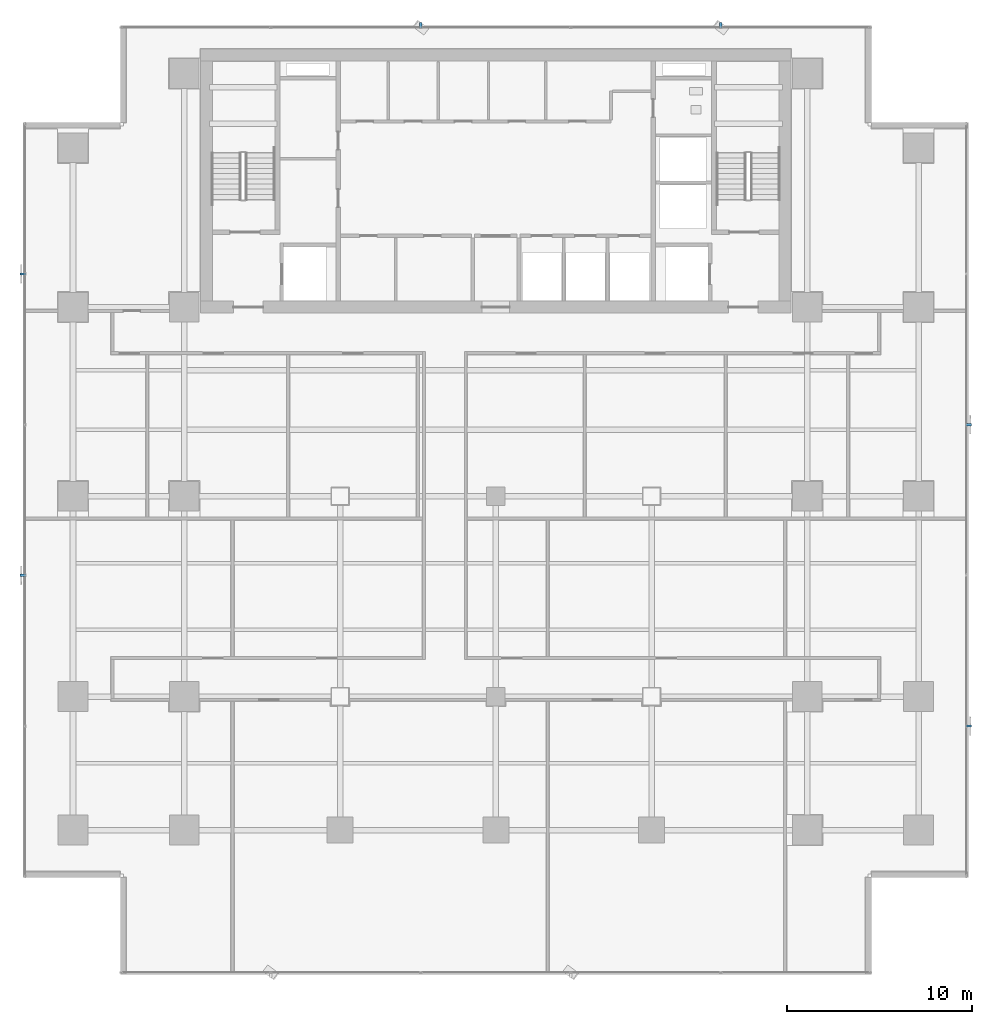
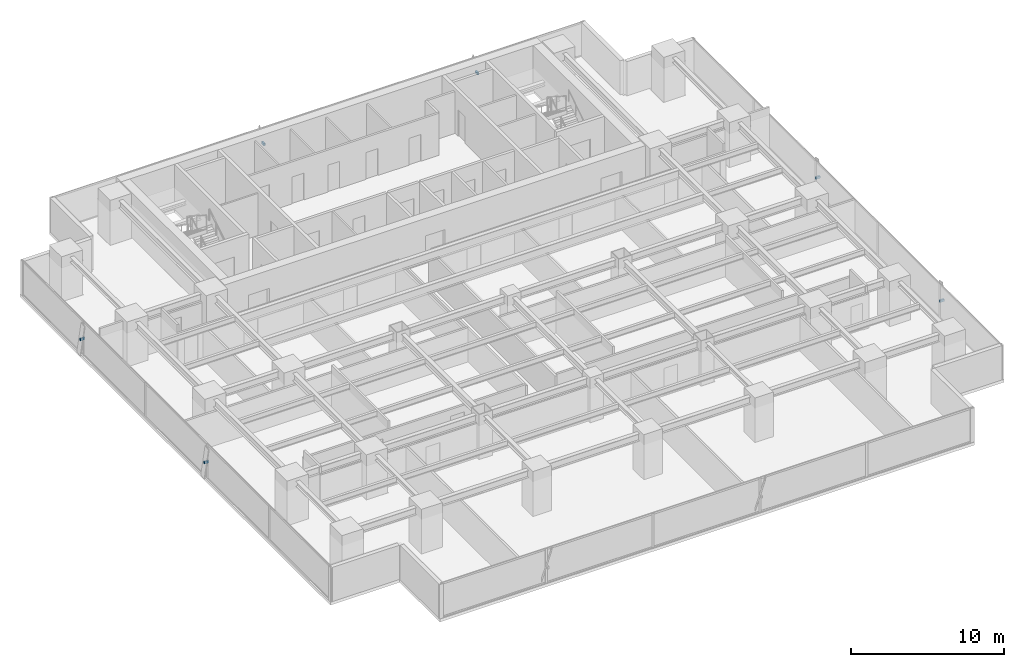
# One storey, part 31 of 36: 6 discrete accessories.
"""IFC4 building model written with IfcOpenShell, lengths in metres."""

from ifc_helpers import new_model, si_unit, direction, frame, origin, origin_2d, place, context, subcontext, project, spatial, rectangle, extrude, source, transform, mapped, material, material_profile, profile_set, type_object, element, save


model = new_model("IFC4")

# Units and contexts
model_context = context("Model", 3, precision=1e-05, world=origin(), true_north=direction((0.0, 1.0)))
body_context = subcontext(model_context, "Body", "Model", "MODEL_VIEW")
ifc_project = project(units=[si_unit("LENGTHUNIT", "METRE"), si_unit("AREAUNIT", "SQUARE_METRE"), si_unit("VOLUMEUNIT", "CUBIC_METRE"), si_unit("PLANEANGLEUNIT", "RADIAN"), si_unit("MASSUNIT", "GRAM", prefix="KILO")], contexts=[model_context])

# Site, building, storey
site_placement = place(None, origin())
site = spatial("IfcSite", under=ifc_project, at=site_placement, CompositionType="ELEMENT")
building_placement = place(site_placement, origin())
building = spatial("IfcBuilding", under=site, at=building_placement, Name="Sumidabori Civic Tower", CompositionType="ELEMENT")
storey_placement = place(building_placement, frame((0.0, 0.0, 92.0)))
storey = spatial("IfcBuildingStorey", under=building, at=storey_placement, Name="L23", CompositionType="ELEMENT", Elevation=92.0)

# Discrete accessories
ifc_material = material(Name="Stainless Steel Hairline Finish", Category="steel")
ifc_material_profile = material_profile(ifc_material, rectangle(XDim=0.1201171875, YDim=0.179931640625, at=origin_2d()), Name="STEEL BRACKET 180x120")
ifc_profile_set = profile_set([ifc_material_profile], Name="Stainless Steel Hairline Finish")
discrete_accessory_type = type_object("IfcDiscreteAccessoryType", Name="AC-BRK-180", PredefinedType="BRACKET", material=ifc_profile_set)
shared_shape_1 = source(origin(), body_context, "Body", "SweptSolid", [
    extrude(rectangle(XDim=0.1201171875, YDim=0.179931640625, at=origin_2d()), origin(), (0.0, 0.0, 1.0), 0.329833984375),
])
for number, where, z_axis, x_axis, name in (
    (1, (25.330078125, -12.39208984375, 1.360107421875), (1.0, 0.0, 0.0), (0.0, 1.0, 0.0), "Bronze Fin Fixing Bracket L23-01"),
    (2, (25.330078125, 3.864013671875, 1.360107421875), (1.0, 0.0, 0.0), (0.0, 1.0, 0.0), "Bronze Fin Fixing Bracket L23-03"),
    (3, (-25.330078125, 11.991943359375, 1.360107421875), (-1.0, 0.0, 0.0), (0.0, -1.0, 0.0), "Bronze Fin Fixing Bracket L23-01"),
    (4, (-25.330078125, -4.263916015625, 1.360107421875), (-1.0, 0.0, 0.0), (0.0, -1.0, 0.0), "Bronze Fin Fixing Bracket L23-03"),
):
    element("IfcDiscreteAccessory", number, at=place(storey_placement, frame(where, z_axis=z_axis, x_axis=x_axis)), inside=storey, type_object=discrete_accessory_type, Name=name, PredefinedType="BRACKET", context=body_context, shape_type="MappedRepresentation", body=[
        mapped(shared_shape_1, transform((0.0, 0.0, 0.0), x_axis=(1.0, 0.0, 0.0), y_axis=(0.0, 1.0, 0.0), z_axis=(0.0, 0.0, 1.0), scale=1.0)),
    ])
shared_shape_2 = source(origin(), body_context, "Body", "SweptSolid", [
    extrude(rectangle(XDim=0.1201171875, YDim=0.179931640625, at=origin_2d()), origin(), (0.0, 0.0, 1.0), 0.330078125),
])
for number, where, z_axis, x_axis, name in (
    (5, (12.132080078125, 25.22998046875, 1.360107421875), (0.0, 1.0, 0.0), (-1.0, 0.0, 0.0), "Bronze Fin Fixing Bracket L23-01"),
    (6, (-4.0439453125, 25.22998046875, 1.360107421875), (0.0, 1.0, 0.0), (-1.0, 0.0, 0.0), "Bronze Fin Fixing Bracket L23-03"),
):
    element("IfcDiscreteAccessory", number, at=place(storey_placement, frame(where, z_axis=z_axis, x_axis=x_axis)), inside=storey, type_object=discrete_accessory_type, Name=name, PredefinedType="BRACKET", context=body_context, shape_type="MappedRepresentation", body=[
        mapped(shared_shape_2, transform((0.0, 0.0, 0.0), x_axis=(1.0, 0.0, 0.0), y_axis=(0.0, 1.0, 0.0), z_axis=(0.0, 0.0, 1.0), scale=1.0)),
    ])

save(model, "model.ifc")
